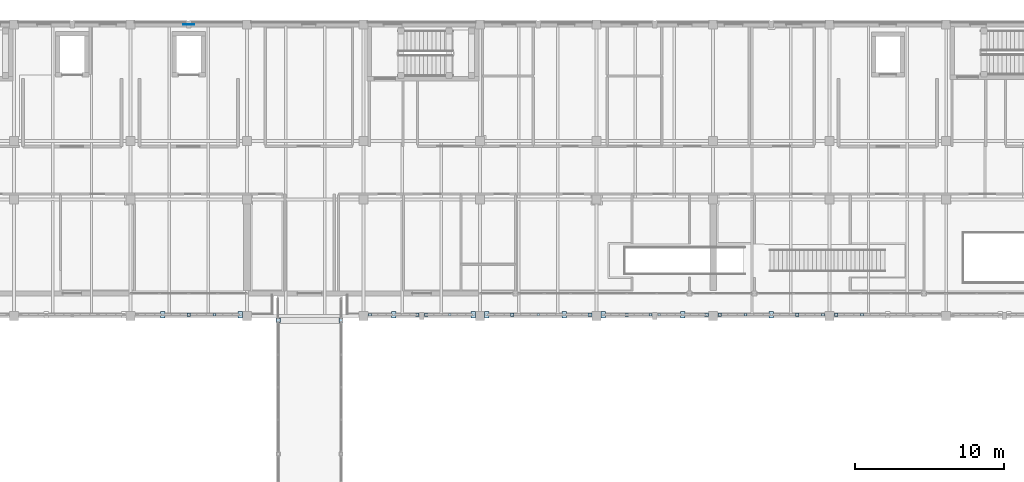
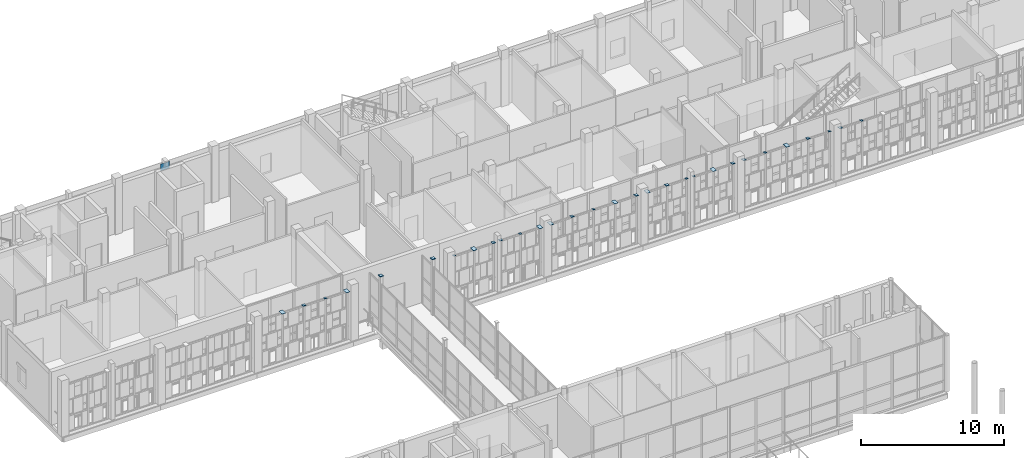
# One storey, part 97 of 138: 31 plates.
"""IFC4 building model written with IfcOpenShell, lengths in metres."""

from ifc_helpers import new_model, si_unit, direction, frame, origin, origin_2d, place, context, subcontext, project, spatial, rectangle, extrude, material, layer, layer_set, type_object, element, save


model = new_model("IFC4")

# Units and contexts
model_context = context("Model", 3, precision=1e-05, world=origin(), true_north=direction((0.0, 1.0)))
body_context = subcontext(model_context, "Body", "Model", "MODEL_VIEW")
ifc_project = project(units=[si_unit("LENGTHUNIT", "METRE"), si_unit("AREAUNIT", "SQUARE_METRE"), si_unit("VOLUMEUNIT", "CUBIC_METRE"), si_unit("PLANEANGLEUNIT", "RADIAN"), si_unit("MASSUNIT", "GRAM", prefix="KILO")], contexts=[model_context])

# Site, building, storey
site_placement = place(None, origin())
site = spatial("IfcSite", under=ifc_project, at=site_placement, CompositionType="ELEMENT")
building_placement = place(site_placement, origin())
building = spatial("IfcBuilding", under=site, at=building_placement, Name="Celorna Specialist Clinic", CompositionType="ELEMENT")
storey_placement = place(building_placement, frame((0.0, 0.0, 4.800048828125)))
storey = spatial("IfcBuildingStorey", under=building, at=storey_placement, Name="L01", CompositionType="ELEMENT", Elevation=4.800048828125)

# Plates
ifc_material = material(Name="Steel S355", Category="steel")
ifc_layer_1 = layer(ifc_material, 0.013916015625, Name="Steel S355")
ifc_layer_set_1 = layer_set([ifc_layer_1], Name="Steel S355")
plate_type_1 = type_object("IfcPlateType", Name="EP-05", PredefinedType="SHEET", material=ifc_layer_set_1)
for number, where, z_axis, x_axis, name in (
    (1, (72.300048828125, 96.199951171875, 4.7998046875), (0.0, 0.0, 1.0), (1.0, 0.0, 0.0), "Hollow column cap plate COL-L01-CT-15-7230-9620"),
    (2, (76.5, 96.199951171875, 4.7998046875), (0.0, 0.0, 1.0), (1.0, 0.0, 0.0), "Hollow column cap plate COL-L01-CT-15-7650-9620"),
):
    element("IfcPlate", number, at=place(storey_placement, frame(where, z_axis=z_axis, x_axis=x_axis)), inside=storey, type_object=plate_type_1, Name=name, PredefinedType="SHEET", context=body_context, shape_type="SweptSolid", body=[
        extrude(rectangle(XDim=0.280029296875, YDim=0.280029296875, at=origin_2d()), origin(), (0.0, 0.0, 1.0), 0.01611328125),
    ])
ifc_layer_2 = layer(ifc_material, 0.011962890625, Name="Steel S355")
ifc_layer_set_2 = layer_set([ifc_layer_2], Name="Steel S355")
plate_type_2 = type_object("IfcPlateType", Name="EP-06", PredefinedType="SHEET", material=ifc_layer_set_2)
for number, where, z_axis, x_axis, name in (
    (3, (68.030029296875, 96.580078125, 4.14013671875), (0.0, 0.0, 1.0), (1.0, 0.0, 0.0), "Screen post cap plate EP-06 #753"),
    (4, (78.43994140625, 96.580078125, 4.14013671875), (0.0, 0.0, 1.0), (1.0, 0.0, 0.0), "Screen post cap plate EP-06 #771"),
    (5, (83.77490234375, 96.580078125, 4.14013671875), (0.0, 0.0, 1.0), (1.0, 0.0, 0.0), "Screen post cap plate EP-06 #783"),
    (6, (89.699951171875, 96.580078125, 4.14013671875), (0.0, 0.0, 1.0), (1.0, 0.0, 0.0), "Screen post cap plate EP-06 #795"),
    (7, (97.2099609375, 96.580078125, 4.14013671875), (0.0, 0.0, 1.0), (1.0, 0.0, 0.0), "Screen post cap plate EP-06 #816"),
    (8, (97.7900390625, 96.580078125, 4.14013671875), (0.0, 0.0, 1.0), (1.0, 0.0, 0.0), "Screen post cap plate EP-06 #825"),
    (9, (103.570068359375, 96.580078125, 4.14013671875), (0.0, 0.0, 1.0), (1.0, 0.0, 0.0), "Screen post cap plate EP-06 #837"),
    (10, (108.760009765625, 96.580078125, 4.14013671875), (0.0, 0.0, 1.0), (1.0, 0.0, 0.0), "Screen post cap plate EP-06 #840"),
    (11, (111.3701171875, 96.580078125, 4.14013671875), (0.0, 0.0, 1.0), (1.0, 0.0, 0.0), "Screen post cap plate EP-06 #858"),
):
    element("IfcPlate", number, at=place(storey_placement, frame(where, z_axis=z_axis, x_axis=x_axis)), inside=storey, type_object=plate_type_2, Name=name, PredefinedType="SHEET", context=body_context, shape_type="SweptSolid", body=[
        extrude(rectangle(XDim=0.179931640625, YDim=0.179931640625, at=origin_2d()), origin(), (0.0, 0.0, 1.0), 0.011962890625),
    ])
ifc_layer_3 = layer(ifc_material, 0.01611328125, Name="Steel S355")
ifc_layer_set_3 = layer_set([ifc_layer_3], Name="Steel S355")
plate_type_3 = type_object("IfcPlateType", Name="EP-07", PredefinedType="SHEET", material=ifc_layer_set_3)
for number, where, z_axis, x_axis, name in (
    (12, (64.570068359375, 96.580078125, 4.139892578125), (0.0, 0.0, 1.0), (1.0, 0.0, 0.0), "Screen post cap plate EP-07 #751"),
    (13, (69.760009765625, 96.580078125, 4.139892578125), (0.0, 0.0, 1.0), (1.0, 0.0, 0.0), "Screen post cap plate EP-07 #754"),
    (14, (80.02490234375, 96.580078125, 4.139892578125), (0.0, 0.0, 1.0), (1.0, 0.0, 0.0), "Screen post cap plate EP-07 #772"),
    (15, (85.360107421875, 96.580078125, 4.139892578125), (0.0, 0.0, 1.0), (1.0, 0.0, 0.0), "Screen post cap plate EP-07 #784"),
    (16, (86.239990234375, 96.580078125, 4.139892578125), (0.0, 0.0, 1.0), (1.0, 0.0, 0.0), "Screen post cap plate EP-07 #793"),
    (17, (91.429931640625, 96.580078125, 4.139892578125), (0.0, 0.0, 1.0), (1.0, 0.0, 0.0), "Screen post cap plate EP-07 #796"),
    (18, (94.0400390625, 96.580078125, 4.139892578125), (0.0, 0.0, 1.0), (1.0, 0.0, 0.0), "Screen post cap plate EP-07 #814"),
    (19, (99.375, 96.580078125, 4.139892578125), (0.0, 0.0, 1.0), (1.0, 0.0, 0.0), "Screen post cap plate EP-07 #826"),
    (20, (105.300048828125, 96.580078125, 4.139892578125), (0.0, 0.0, 1.0), (1.0, 0.0, 0.0), "Screen post cap plate EP-07 #838"),
):
    element("IfcPlate", number, at=place(storey_placement, frame(where, z_axis=z_axis, x_axis=x_axis)), inside=storey, type_object=plate_type_3, Name=name, PredefinedType="SHEET", context=body_context, shape_type="SweptSolid", body=[
        extrude(rectangle(XDim=0.300048828125, YDim=0.43994140625, at=origin_2d()), origin(), (0.0, 0.0, 1.0), 0.01611328125),
    ])
ifc_layer_4 = layer(ifc_material, 0.013916015625, Name="Steel S355")
ifc_layer_set_4 = layer_set([ifc_layer_4], Name="Steel S355")
plate_type_4 = type_object("IfcPlateType", Name="EP-08", PredefinedType="SHEET", material=ifc_layer_set_4)
for number, where, z_axis, x_axis, name in (
    (21, (66.300048828125, 96.580078125, 4.14013671875), (0.0, 0.0, 1.0), (1.0, 0.0, 0.0), "Screen post cap plate EP-08 #752"),
    (22, (81.610107421875, 96.580078125, 4.14013671875), (0.0, 0.0, 1.0), (1.0, 0.0, 0.0), "Screen post cap plate EP-08 #773"),
    (23, (82.18994140625, 96.580078125, 4.14013671875), (0.0, 0.0, 1.0), (1.0, 0.0, 0.0), "Screen post cap plate EP-08 #782"),
    (24, (87.969970703125, 96.580078125, 4.14013671875), (0.0, 0.0, 1.0), (1.0, 0.0, 0.0), "Screen post cap plate EP-08 #794"),
    (25, (93.159912109375, 96.580078125, 4.14013671875), (0.0, 0.0, 1.0), (1.0, 0.0, 0.0), "Screen post cap plate EP-08 #797"),
    (26, (95.625, 96.580078125, 4.14013671875), (0.0, 0.0, 1.0), (1.0, 0.0, 0.0), "Screen post cap plate EP-08 #815"),
    (27, (100.9599609375, 96.580078125, 4.14013671875), (0.0, 0.0, 1.0), (1.0, 0.0, 0.0), "Screen post cap plate EP-08 #827"),
    (28, (101.840087890625, 96.580078125, 4.14013671875), (0.0, 0.0, 1.0), (1.0, 0.0, 0.0), "Screen post cap plate EP-08 #836"),
    (29, (107.030029296875, 96.580078125, 4.14013671875), (0.0, 0.0, 1.0), (1.0, 0.0, 0.0), "Screen post cap plate EP-08 #839"),
    (30, (109.639892578125, 96.580078125, 4.14013671875), (0.0, 0.0, 1.0), (1.0, 0.0, 0.0), "Screen post cap plate EP-08 #857"),
):
    element("IfcPlate", number, at=place(storey_placement, frame(where, z_axis=z_axis, x_axis=x_axis)), inside=storey, type_object=plate_type_4, Name=name, PredefinedType="SHEET", context=body_context, shape_type="SweptSolid", body=[
        extrude(rectangle(XDim=0.239990234375, YDim=0.239990234375, at=origin_2d()), origin(), (0.0, 0.0, 1.0), 0.013916015625),
    ])
ifc_layer_5 = layer(ifc_material, 0.02490234375, Name="Steel S355")
ifc_layer_set_5 = layer_set([ifc_layer_5], Name="Steel S355")
plate_type_5 = type_object("IfcPlateType", Name="GP-02", PredefinedType="USERDEFINED", material=ifc_layer_set_5)
plate_placement = place(storey_placement, frame((66.300048828125, 116.0, 3.969970703125), z_axis=(0.0, 0.0, 1.0), x_axis=(1.0, 0.0, 0.0)))
element("IfcPlate", 31, at=plate_placement, inside=storey, type_object=plate_type_5, Name="Chevron apex gusset plate GP-02 #81", ObjectType="GUSSET PLATE", PredefinedType="USERDEFINED", context=body_context, shape_type="SweptSolid", body=[
    extrude(rectangle(XDim=0.719970703125, YDim=0.02490234375, at=origin_2d()), origin(), (0.0, 0.0, 1.0), 0.56005859375),
])

save(model, "model.ifc")
